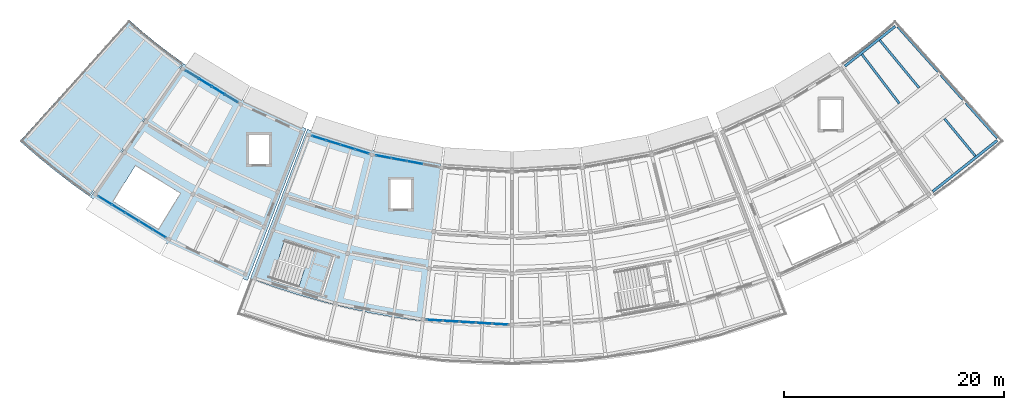
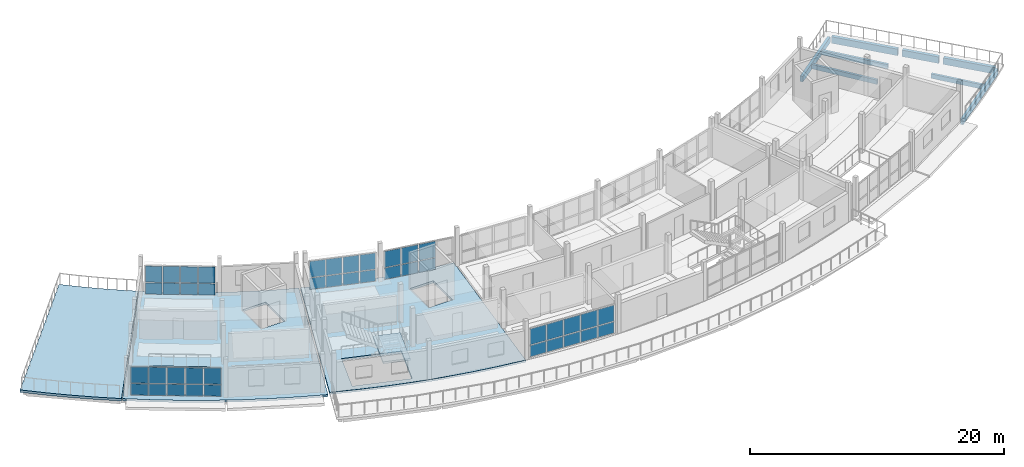
# One storey, part 14 of 24: 42 plates, 8 beams, 4 slabs, 6 elements without a shape of their own.
"""IFC4 building model written with IfcOpenShell, lengths in metres."""

from ifc_helpers import new_model, si_unit, direction, frame, origin, origin_2d, place, context, subcontext, project, spatial, polyline, rectangle, outline, extrude, material, layer, layer_set, material_profile, profile_set, type_object, element, aggregate, save


model = new_model("IFC4")

# Units and contexts
model_context = context("Model", 3, precision=1e-05, world=origin(), true_north=direction((0.0, 1.0)))
body_context = subcontext(model_context, "Body", "Model", "MODEL_VIEW")
ifc_project = project(units=[si_unit("LENGTHUNIT", "METRE"), si_unit("AREAUNIT", "SQUARE_METRE"), si_unit("VOLUMEUNIT", "CUBIC_METRE"), si_unit("PLANEANGLEUNIT", "RADIAN"), si_unit("MASSUNIT", "GRAM", prefix="KILO")], contexts=[model_context])

# Site, building, storey
site_placement = place(None, origin())
site = spatial("IfcSite", under=ifc_project, at=site_placement, CompositionType="ELEMENT")
building_placement = place(site_placement, origin())
building = spatial("IfcBuilding", under=site, at=building_placement, Name="Caldaven Crescent School", CompositionType="ELEMENT")
storey_placement = place(building_placement, frame((0.0, 0.0, 15.639892578125)))
storey = spatial("IfcBuildingStorey", under=building, at=storey_placement, Name="L04", CompositionType="ELEMENT", Elevation=15.639892578125)

# Beams
ifc_material_1 = material(Name="Glulam MLE24h (GL28h)", Category="wood")
ifc_material_profile_1 = material_profile(ifc_material_1, rectangle(XDim=0.280029296875, YDim=0.6298828125, at=origin_2d()), Name="MLE 280x630")
ifc_profile_set_1 = profile_set([ifc_material_profile_1], Name="Glulam MLE24h (GL28h)")
beam_type_1 = type_object("IfcBeamType", Name="BM-GL63", PredefinedType="BEAM", material=ifc_profile_set_1)
beam_1_placement = place(storey_placement, frame((123.052490234375, 56.748046875, -0.544921875), z_axis=(0.666052918359, -0.745904491169, 0.0), x_axis=(0.745904491169, 0.666052918359, 0.0)))
element("IfcBeam", 1, at=beam_1_placement, inside=storey, type_object=beam_type_1, Name="BMR-V4E-L04-1635", PredefinedType="BEAM", context=body_context, shape_type="SweptSolid", body=[
    extrude(rectangle(XDim=0.280029296875, YDim=0.6298828125, at=origin_2d()), origin(), (0.0, 0.0, 1.0), 5.485107421875),
])
beam_2_placement = place(storey_placement, frame((126.958984375, 52.37353515625, -0.544921875), z_axis=(0.666043078993, -0.745913277081, 0.0), x_axis=(0.745913277081, 0.666043078993, 0.0)))
element("IfcBeam", 2, at=beam_2_placement, inside=storey, type_object=beam_type_1, Name="BMR-V4E-L04-1636", PredefinedType="BEAM", context=body_context, shape_type="SweptSolid", body=[
    extrude(rectangle(XDim=0.280029296875, YDim=0.6298828125, at=origin_2d()), origin(), (0.0, 0.0, 1.0), 3.02001953125),
])
beam_3_placement = place(storey_placement, frame((129.2236328125, 49.83740234375, -0.544921875), z_axis=(0.666098417843, -0.745863860062, 0.0), x_axis=(0.745863860062, 0.666098417843, 0.0)))
element("IfcBeam", 3, at=beam_3_placement, inside=storey, type_object=beam_type_1, Name="BMR-V4E-L04-1637", PredefinedType="BEAM", context=body_context, shape_type="SweptSolid", body=[
    extrude(rectangle(XDim=0.280029296875, YDim=0.6298828125, at=origin_2d()), origin(), (0.0, 0.0, 1.0), 4.284912109375),
])
ifc_material_profile_2 = material_profile(ifc_material_1, rectangle(XDim=0.2099609375, YDim=0.419921875, at=origin_2d()), Name="MLE 210x420")
ifc_profile_set_2 = profile_set([ifc_material_profile_2], Name="Glulam MLE24h (GL28h)")
beam_type_2 = type_object("IfcBeamType", Name="JS-GL42", PredefinedType="JOIST", material=ifc_profile_set_2)
for number, where, z_axis, x_axis, name in (
    (4, (119.77099609375, 54.224853515625, -0.43994140625), (0.605340292754, -0.795966789488, 0.0), (0.795966789488, 0.605340292754, 0.0), "JSR-V4E-L04-1654"),
    (5, (121.391845703125, 55.5087890625, -0.43994140625), (0.636225659262, -0.771503020406, 0.0), (0.771503020406, 0.636225659262, 0.0), "JSR-V4E-L04-1656"),
):
    element("IfcBeam", number, at=place(storey_placement, frame(where, z_axis=z_axis, x_axis=x_axis)), inside=storey, type_object=beam_type_2, Name=name, PredefinedType="JOIST", context=body_context, shape_type="SweptSolid", body=[
        extrude(rectangle(XDim=0.2099609375, YDim=0.419921875, at=origin_2d()), origin(), (0.0, 0.0, 1.0), 5.61083984375),
    ])
beam_4_placement = place(storey_placement, frame((127.267822265625, 48.383544921875, -0.43994140625), z_axis=(0.636230692262, -0.771498869878, 0.0), x_axis=(0.771498869878, 0.636230692262, 0.0)))
element("IfcBeam", 6, at=beam_4_placement, inside=storey, type_object=beam_type_2, Name="JSR-V4E-L04-1657", PredefinedType="JOIST", context=body_context, shape_type="SweptSolid", body=[
    extrude(rectangle(XDim=0.2099609375, YDim=0.419921875, at=origin_2d()), origin(), (0.0, 0.0, 1.0), 4.412841796875),
])
ifc_material_profile_3 = material_profile(ifc_material_1, rectangle(XDim=0.239990234375, YDim=0.5400390625, at=origin_2d()), Name="MLE 240x540")
ifc_profile_set_3 = profile_set([ifc_material_profile_3], Name="Glulam MLE24h (GL28h)")
beam_type_3 = type_object("IfcBeamType", Name="SP-GL54", PredefinedType="SPANDREL", material=ifc_profile_set_3)
beam_5_placement = place(storey_placement, frame((118.22119140625, 53.14404296875, -0.5), z_axis=(0.783882174353, 0.620909604316, 0.0), x_axis=(-0.620909604316, 0.783882174353, 0.0)))
element("IfcBeam", 7, at=beam_5_placement, inside=storey, type_object=beam_type_3, Name="BMT-V4E-L04-1650", PredefinedType="SPANDREL", context=body_context, shape_type="SweptSolid", body=[
    extrude(rectangle(XDim=0.239990234375, YDim=0.5400390625, at=origin_2d()), origin(), (0.0, 0.0, 1.0), 5.83935546875),
])
beam_6_placement = place(storey_placement, frame((126.194091796875, 41.7578125, -0.5), z_axis=(0.783869072478, 0.620926144732, 0.0), x_axis=(-0.620926144732, 0.783869072478, 0.0)))
element("IfcBeam", 8, at=beam_6_placement, inside=storey, type_object=beam_type_3, Name="BMT-V4E-L04-1653", PredefinedType="SPANDREL", context=body_context, shape_type="SweptSolid", body=[
    extrude(rectangle(XDim=0.239990234375, YDim=0.5400390625, at=origin_2d()), origin(), (0.0, 0.0, 1.0), 7.4794921875),
])

# Curtain wall, plates
ifc_material_2 = material(Name="Anodised aluminium AA 6063-T6 and low-E double glazing", Category="aluminium")
ifc_layer_1 = layer(ifc_material_2, 0.2099609375)
ifc_layer_set_1 = layer_set([ifc_layer_1], Name="Anodised aluminium AA 6063-T6 and low-E double glazing")
curtain_wall_type_1 = type_object("IfcCurtainWallType", Name="CW-SYS3", PredefinedType="NOTDEFINED", material=ifc_layer_set_1)
curtain_wall_1_placement = place(storey_placement, origin())
curtain_wall_1 = element("IfcCurtainWall", 9, at=curtain_wall_1_placement, inside=storey, type_object=curtain_wall_type_1, Name="CW-L04-168", PredefinedType="NOTDEFINED")
ifc_material_3 = material(Name="Tempered low-E double glazing IGU", Category="glass")
ifc_layer_2 = layer(ifc_material_3, 0.02587890625)
ifc_layer_set_2 = layer_set([ifc_layer_2], Name="Tempered low-E double glazing IGU")
plate_type_1 = type_object("IfcPlateType", Name="PLT-CWP01", PredefinedType="CURTAIN_PANEL", material=ifc_layer_set_2)
plate_1_placement = place(storey_placement, frame((51.052490234375, 40.953125, 0.06005859375), z_axis=(0.0, 0.0, 1.0), x_axis=(0.8537089351, -0.520750472041, 0.0)))
plate_1 = element("IfcPlate", 10, at=plate_1_placement, type_object=plate_type_1, Name="CW3 panel 1.1", PredefinedType="CURTAIN_PANEL", context=body_context, shape_type="SweptSolid", body=[
    extrude(rectangle(XDim=1.35595703125, YDim=0.02587890625, at=origin_2d()), origin(), (0.0, 0.0, 1.0), 1.093994140625),
])
plate_2_placement = place(storey_placement, frame((51.052490234375, 40.953125, 1.214111328125), z_axis=(0.0, 0.0, 1.0), x_axis=(0.8537089351, -0.520750472041, 0.0)))
plate_2 = element("IfcPlate", 11, at=plate_2_placement, type_object=plate_type_1, Name="CW3 panel 1.2", PredefinedType="CURTAIN_PANEL", context=body_context, shape_type="SweptSolid", body=[
    extrude(rectangle(XDim=1.35595703125, YDim=0.02587890625, at=origin_2d()), origin(), (0.0, 0.0, 1.0), 1.5458984375),
])
plate_3_placement = place(storey_placement, frame((52.27392578125, 40.2080078125, 0.06005859375), z_axis=(0.0, 0.0, 1.0), x_axis=(0.8537089351, -0.520750472041, 0.0)))
plate_3 = element("IfcPlate", 12, at=plate_3_placement, type_object=plate_type_1, Name="CW3 panel 2.1", PredefinedType="CURTAIN_PANEL", context=body_context, shape_type="SweptSolid", body=[
    extrude(rectangle(XDim=1.385986328125, YDim=0.02587890625, at=origin_2d()), origin(), (0.0, 0.0, 1.0), 1.093994140625),
])
plate_4_placement = place(storey_placement, frame((52.27392578125, 40.2080078125, 1.214111328125), z_axis=(0.0, 0.0, 1.0), x_axis=(0.8537089351, -0.520750472041, 0.0)))
plate_4 = element("IfcPlate", 13, at=plate_4_placement, type_object=plate_type_1, Name="CW3 panel 2.2", PredefinedType="CURTAIN_PANEL", context=body_context, shape_type="SweptSolid", body=[
    extrude(rectangle(XDim=1.385986328125, YDim=0.02587890625, at=origin_2d()), origin(), (0.0, 0.0, 1.0), 1.5458984375),
])
plate_5_placement = place(storey_placement, frame((53.50830078125, 39.455078125, 0.06005859375), z_axis=(0.0, 0.0, 1.0), x_axis=(0.8537089351, -0.520750472041, 0.0)))
plate_5 = element("IfcPlate", 14, at=plate_5_placement, type_object=plate_type_1, Name="CW3 panel 3.1", PredefinedType="CURTAIN_PANEL", context=body_context, shape_type="SweptSolid", body=[
    extrude(rectangle(XDim=1.385986328125, YDim=0.02587890625, at=origin_2d()), origin(), (0.0, 0.0, 1.0), 1.093994140625),
])
plate_6_placement = place(storey_placement, frame((53.50830078125, 39.455078125, 1.214111328125), z_axis=(0.0, 0.0, 1.0), x_axis=(0.8537089351, -0.520750472041, 0.0)))
plate_6 = element("IfcPlate", 15, at=plate_6_placement, type_object=plate_type_1, Name="CW3 panel 3.2", PredefinedType="CURTAIN_PANEL", context=body_context, shape_type="SweptSolid", body=[
    extrude(rectangle(XDim=1.385986328125, YDim=0.02587890625, at=origin_2d()), origin(), (0.0, 0.0, 1.0), 1.5458984375),
])
plate_7_placement = place(storey_placement, frame((54.742919921875, 38.7021484375, 0.06005859375), z_axis=(0.0, 0.0, 1.0), x_axis=(0.8537089351, -0.520750472041, 0.0)))
plate_7 = element("IfcPlate", 16, at=plate_7_placement, type_object=plate_type_1, Name="CW3 panel 4.1", PredefinedType="CURTAIN_PANEL", context=body_context, shape_type="SweptSolid", body=[
    extrude(rectangle(XDim=1.385986328125, YDim=0.02587890625, at=origin_2d()), origin(), (0.0, 0.0, 1.0), 1.093994140625),
])
plate_8_placement = place(storey_placement, frame((54.742919921875, 38.7021484375, 1.214111328125), z_axis=(0.0, 0.0, 1.0), x_axis=(0.8537089351, -0.520750472041, 0.0)))
plate_8 = element("IfcPlate", 17, at=plate_8_placement, type_object=plate_type_1, Name="CW3 panel 4.2", PredefinedType="CURTAIN_PANEL", context=body_context, shape_type="SweptSolid", body=[
    extrude(rectangle(XDim=1.385986328125, YDim=0.02587890625, at=origin_2d()), origin(), (0.0, 0.0, 1.0), 1.5458984375),
])
plate_9_placement = place(storey_placement, frame((55.96435546875, 37.95703125, 0.06005859375), z_axis=(0.0, 0.0, 1.0), x_axis=(0.8537089351, -0.520750472041, 0.0)))
plate_9 = element("IfcPlate", 18, at=plate_9_placement, type_object=plate_type_1, Name="CW3 panel 5.1", PredefinedType="CURTAIN_PANEL", context=body_context, shape_type="SweptSolid", body=[
    extrude(rectangle(XDim=1.35595703125, YDim=0.02587890625, at=origin_2d()), origin(), (0.0, 0.0, 1.0), 1.093994140625),
])
plate_10_placement = place(storey_placement, frame((55.96435546875, 37.95703125, 1.214111328125), z_axis=(0.0, 0.0, 1.0), x_axis=(0.8537089351, -0.520750472041, 0.0)))
plate_10 = element("IfcPlate", 19, at=plate_10_placement, type_object=plate_type_1, Name="CW3 panel 5.2", PredefinedType="CURTAIN_PANEL", context=body_context, shape_type="SweptSolid", body=[
    extrude(rectangle(XDim=1.35595703125, YDim=0.02587890625, at=origin_2d()), origin(), (0.0, 0.0, 1.0), 1.5458984375),
])
aggregate(curtain_wall_1, [plate_1, plate_2, plate_3, plate_4, plate_5, plate_6, plate_7, plate_8, plate_9, plate_10])

curtain_wall_2_placement = place(storey_placement, origin())
curtain_wall_2 = element("IfcCurtainWall", 20, at=curtain_wall_2_placement, inside=storey, type_object=curtain_wall_type_1, Name="CW-L04-169", PredefinedType="NOTDEFINED")
ifc_layer_3 = layer(ifc_material_3, 0.028076171875)
ifc_layer_set_3 = layer_set([ifc_layer_3], Name="Tempered low-E double glazing IGU")
plate_type_2 = type_object("IfcPlateType", Name="PLT-CWP02", PredefinedType="CURTAIN_PANEL", material=ifc_layer_set_3)
plate_11_placement = place(storey_placement, frame((70.49169921875, 46.609375, 0.06005859375), z_axis=(0.0, 0.0, 1.0), x_axis=(0.954746818344, -0.297419758694, 0.0)))
plate_11 = element("IfcPlate", 21, at=plate_11_placement, type_object=plate_type_2, Name="CW3 panel 1.1", PredefinedType="CURTAIN_PANEL", context=body_context, shape_type="SweptSolid", body=[
    extrude(rectangle(XDim=1.270751953125, YDim=0.028076171875, at=origin_2d()), origin(), (0.0, 0.0, 1.0), 1.093994140625),
])
plate_12_placement = place(storey_placement, frame((70.49169921875, 46.609375, 1.214111328125), z_axis=(0.0, 0.0, 1.0), x_axis=(0.954746818344, -0.297419758694, 0.0)))
plate_12 = element("IfcPlate", 22, at=plate_12_placement, type_object=plate_type_2, Name="CW3 panel 1.2", PredefinedType="CURTAIN_PANEL", context=body_context, shape_type="SweptSolid", body=[
    extrude(rectangle(XDim=1.270751953125, YDim=0.028076171875, at=origin_2d()), origin(), (0.0, 0.0, 1.0), 1.5458984375),
])
plate_13_placement = place(storey_placement, frame((71.776611328125, 46.208984375, 0.06005859375), z_axis=(0.0, 0.0, 1.0), x_axis=(0.954746818344, -0.297419758694, 0.0)))
plate_13 = element("IfcPlate", 23, at=plate_13_placement, type_object=plate_type_2, Name="CW3 panel 2.1", PredefinedType="CURTAIN_PANEL", context=body_context, shape_type="SweptSolid", body=[
    extrude(rectangle(XDim=1.30078125, YDim=0.028076171875, at=origin_2d()), origin(), (0.0, 0.0, 1.0), 1.093994140625),
])
plate_14_placement = place(storey_placement, frame((71.776611328125, 46.208984375, 1.214111328125), z_axis=(0.0, 0.0, 1.0), x_axis=(0.954746818344, -0.297419758694, 0.0)))
plate_14 = element("IfcPlate", 24, at=plate_14_placement, type_object=plate_type_2, Name="CW3 panel 2.2", PredefinedType="CURTAIN_PANEL", context=body_context, shape_type="SweptSolid", body=[
    extrude(rectangle(XDim=1.30078125, YDim=0.028076171875, at=origin_2d()), origin(), (0.0, 0.0, 1.0), 1.5458984375),
])
plate_15_placement = place(storey_placement, frame((73.075927734375, 45.804443359375, 0.06005859375), z_axis=(0.0, 0.0, 1.0), x_axis=(0.954746818344, -0.297419758694, 0.0)))
plate_15 = element("IfcPlate", 25, at=plate_15_placement, type_object=plate_type_2, Name="CW3 panel 3.1", PredefinedType="CURTAIN_PANEL", context=body_context, shape_type="SweptSolid", body=[
    extrude(rectangle(XDim=1.30078125, YDim=0.028076171875, at=origin_2d()), origin(), (0.0, 0.0, 1.0), 1.093994140625),
])
plate_16_placement = place(storey_placement, frame((73.075927734375, 45.804443359375, 1.214111328125), z_axis=(0.0, 0.0, 1.0), x_axis=(0.954746818344, -0.297419758694, 0.0)))
plate_16 = element("IfcPlate", 26, at=plate_16_placement, type_object=plate_type_2, Name="CW3 panel 3.2", PredefinedType="CURTAIN_PANEL", context=body_context, shape_type="SweptSolid", body=[
    extrude(rectangle(XDim=1.30078125, YDim=0.028076171875, at=origin_2d()), origin(), (0.0, 0.0, 1.0), 1.5458984375),
])
plate_17_placement = place(storey_placement, frame((74.36083984375, 45.404052734375, 0.06005859375), z_axis=(0.0, 0.0, 1.0), x_axis=(0.954746818344, -0.297419758694, 0.0)))
plate_17 = element("IfcPlate", 27, at=plate_17_placement, type_object=plate_type_2, Name="CW3 panel 4.1", PredefinedType="CURTAIN_PANEL", context=body_context, shape_type="SweptSolid", body=[
    extrude(rectangle(XDim=1.270751953125, YDim=0.028076171875, at=origin_2d()), origin(), (0.0, 0.0, 1.0), 1.093994140625),
])
plate_18_placement = place(storey_placement, frame((74.36083984375, 45.404052734375, 1.214111328125), z_axis=(0.0, 0.0, 1.0), x_axis=(0.954746818344, -0.297419758694, 0.0)))
plate_18 = element("IfcPlate", 28, at=plate_18_placement, type_object=plate_type_2, Name="CW3 panel 4.2", PredefinedType="CURTAIN_PANEL", context=body_context, shape_type="SweptSolid", body=[
    extrude(rectangle(XDim=1.270751953125, YDim=0.028076171875, at=origin_2d()), origin(), (0.0, 0.0, 1.0), 1.5458984375),
])
aggregate(curtain_wall_2, [plate_11, plate_12, plate_13, plate_14, plate_15, plate_16, plate_17, plate_18])

ifc_layer_4 = layer(ifc_material_2, 0.22998046875)
ifc_layer_set_4 = layer_set([ifc_layer_4], Name="Anodised aluminium AA 6063-T6 and low-E double glazing")
curtain_wall_type_2 = type_object("IfcCurtainWallType", Name="CW-SYS4", PredefinedType="NOTDEFINED", material=ifc_layer_set_4)
curtain_wall_3_placement = place(storey_placement, origin())
curtain_wall_3 = element("IfcCurtainWall", 29, at=curtain_wall_3_placement, inside=storey, type_object=curtain_wall_type_2, Name="CW-L04-170", PredefinedType="NOTDEFINED")
ifc_layer_5 = layer(ifc_material_3, 0.030029296875)
ifc_layer_set_5 = layer_set([ifc_layer_5], Name="Tempered low-E double glazing IGU")
plate_type_3 = type_object("IfcPlateType", Name="PLT-CWP03", PredefinedType="CURTAIN_PANEL", material=ifc_layer_set_5)
plate_19_placement = place(storey_placement, frame((76.33544921875, 44.918212890625, 0.06005859375), z_axis=(0.0, 0.0, 1.0), x_axis=(0.983254744401, -0.182236405836, 0.0)))
plate_19 = element("IfcPlate", 30, at=plate_19_placement, type_object=plate_type_3, Name="CW4 panel 1.1", PredefinedType="CURTAIN_PANEL", context=body_context, shape_type="SweptSolid", body=[
    extrude(rectangle(XDim=1.353515625, YDim=0.030029296875, at=origin_2d()), origin(), (0.0, 0.0, 1.0), 1.093994140625),
])
plate_20_placement = place(storey_placement, frame((76.33544921875, 44.918212890625, 1.214111328125), z_axis=(0.0, 0.0, 1.0), x_axis=(0.983254744401, -0.182236405836, 0.0)))
plate_20 = element("IfcPlate", 31, at=plate_20_placement, type_object=plate_type_3, Name="CW4 panel 1.2", PredefinedType="CURTAIN_PANEL", context=body_context, shape_type="SweptSolid", body=[
    extrude(rectangle(XDim=1.353515625, YDim=0.030029296875, at=origin_2d()), origin(), (0.0, 0.0, 1.0), 1.5458984375),
])
plate_21_placement = place(storey_placement, frame((77.746337890625, 44.65673828125, 0.06005859375), z_axis=(0.0, 0.0, 1.0), x_axis=(0.983254744401, -0.182236405836, 0.0)))
plate_21 = element("IfcPlate", 32, at=plate_21_placement, type_object=plate_type_3, Name="CW4 panel 2.1", PredefinedType="CURTAIN_PANEL", context=body_context, shape_type="SweptSolid", body=[
    extrude(rectangle(XDim=1.385986328125, YDim=0.030029296875, at=origin_2d()), origin(), (0.0, 0.0, 1.0), 1.093994140625),
])
plate_22_placement = place(storey_placement, frame((77.746337890625, 44.65673828125, 1.214111328125), z_axis=(0.0, 0.0, 1.0), x_axis=(0.983254744401, -0.182236405836, 0.0)))
plate_22 = element("IfcPlate", 33, at=plate_22_placement, type_object=plate_type_3, Name="CW4 panel 2.2", PredefinedType="CURTAIN_PANEL", context=body_context, shape_type="SweptSolid", body=[
    extrude(rectangle(XDim=1.385986328125, YDim=0.030029296875, at=origin_2d()), origin(), (0.0, 0.0, 1.0), 1.5458984375),
])
plate_23_placement = place(storey_placement, frame((79.1728515625, 44.392333984375, 0.06005859375), z_axis=(0.0, 0.0, 1.0), x_axis=(0.983254744401, -0.182236405836, 0.0)))
plate_23 = element("IfcPlate", 34, at=plate_23_placement, type_object=plate_type_3, Name="CW4 panel 3.1", PredefinedType="CURTAIN_PANEL", context=body_context, shape_type="SweptSolid", body=[
    extrude(rectangle(XDim=1.385986328125, YDim=0.030029296875, at=origin_2d()), origin(), (0.0, 0.0, 1.0), 1.093994140625),
])
plate_24_placement = place(storey_placement, frame((79.1728515625, 44.392333984375, 1.214111328125), z_axis=(0.0, 0.0, 1.0), x_axis=(0.983254744401, -0.182236405836, 0.0)))
plate_24 = element("IfcPlate", 35, at=plate_24_placement, type_object=plate_type_3, Name="CW4 panel 3.2", PredefinedType="CURTAIN_PANEL", context=body_context, shape_type="SweptSolid", body=[
    extrude(rectangle(XDim=1.385986328125, YDim=0.030029296875, at=origin_2d()), origin(), (0.0, 0.0, 1.0), 1.5458984375),
])
aggregate(curtain_wall_3, [plate_19, plate_20, plate_21, plate_22, plate_23, plate_24])

curtain_wall_4_placement = place(storey_placement, origin())
curtain_wall_4 = element("IfcCurtainWall", 36, at=curtain_wall_4_placement, inside=storey, type_object=curtain_wall_type_1, Name="CW-L04-172", PredefinedType="NOTDEFINED")
ifc_layer_6 = layer(ifc_material_3, 0.033935546875)
ifc_layer_set_6 = layer_set([ifc_layer_6], Name="Tempered low-E double glazing IGU")
plate_type_4 = type_object("IfcPlateType", Name="PLT-CWP05", PredefinedType="CURTAIN_PANEL", material=ifc_layer_set_6)
plate_25_placement = place(storey_placement, frame((80.978271484375, 30.079345703125, 0.070068359375), z_axis=(0.0, 0.0, 1.0), x_axis=(0.998134747337, -0.061049374755, 0.0)))
plate_25 = element("IfcPlate", 37, at=plate_25_placement, type_object=plate_type_4, Name="CW3 panel 1.1", PredefinedType="CURTAIN_PANEL", context=body_context, shape_type="SweptSolid", body=[
    extrude(rectangle(XDim=1.40283203125, YDim=0.033935546875, at=origin_2d()), origin(), (0.0, 0.0, 1.0), 1.0791015625),
])
plate_26_placement = place(storey_placement, frame((80.978271484375, 30.079345703125, 1.21923828125), z_axis=(0.0, 0.0, 1.0), x_axis=(0.998134747337, -0.061049374755, 0.0)))
plate_26 = element("IfcPlate", 38, at=plate_26_placement, type_object=plate_type_4, Name="CW3 panel 1.2", PredefinedType="CURTAIN_PANEL", context=body_context, shape_type="SweptSolid", body=[
    extrude(rectangle(XDim=1.40283203125, YDim=0.033935546875, at=origin_2d()), origin(), (0.0, 0.0, 1.0), 1.531005859375),
])
plate_27_placement = place(storey_placement, frame((82.45947265625, 29.98876953125, 0.070068359375), z_axis=(0.0, 0.0, 1.0), x_axis=(0.998134747337, -0.061049374755, 0.0)))
plate_27 = element("IfcPlate", 39, at=plate_27_placement, type_object=plate_type_4, Name="CW3 panel 2.1", PredefinedType="CURTAIN_PANEL", context=body_context, shape_type="SweptSolid", body=[
    extrude(rectangle(XDim=1.435302734375, YDim=0.033935546875, at=origin_2d()), origin(), (0.0, 0.0, 1.0), 1.0791015625),
])
plate_28_placement = place(storey_placement, frame((82.45947265625, 29.98876953125, 1.21923828125), z_axis=(0.0, 0.0, 1.0), x_axis=(0.998134747337, -0.061049374755, 0.0)))
plate_28 = element("IfcPlate", 40, at=plate_28_placement, type_object=plate_type_4, Name="CW3 panel 2.2", PredefinedType="CURTAIN_PANEL", context=body_context, shape_type="SweptSolid", body=[
    extrude(rectangle(XDim=1.435302734375, YDim=0.033935546875, at=origin_2d()), origin(), (0.0, 0.0, 1.0), 1.531005859375),
])
plate_29_placement = place(storey_placement, frame((83.95703125, 29.897216796875, 0.070068359375), z_axis=(0.0, 0.0, 1.0), x_axis=(0.998134747337, -0.061049374755, 0.0)))
plate_29 = element("IfcPlate", 41, at=plate_29_placement, type_object=plate_type_4, Name="CW3 panel 3.1", PredefinedType="CURTAIN_PANEL", context=body_context, shape_type="SweptSolid", body=[
    extrude(rectangle(XDim=1.435302734375, YDim=0.033935546875, at=origin_2d()), origin(), (0.0, 0.0, 1.0), 1.0791015625),
])
plate_30_placement = place(storey_placement, frame((83.95703125, 29.897216796875, 1.21923828125), z_axis=(0.0, 0.0, 1.0), x_axis=(0.998134747337, -0.061049374755, 0.0)))
plate_30 = element("IfcPlate", 42, at=plate_30_placement, type_object=plate_type_4, Name="CW3 panel 3.2", PredefinedType="CURTAIN_PANEL", context=body_context, shape_type="SweptSolid", body=[
    extrude(rectangle(XDim=1.435302734375, YDim=0.033935546875, at=origin_2d()), origin(), (0.0, 0.0, 1.0), 1.531005859375),
])
plate_31_placement = place(storey_placement, frame((85.454345703125, 29.8056640625, 0.070068359375), z_axis=(0.0, 0.0, 1.0), x_axis=(0.998134747337, -0.061049374755, 0.0)))
plate_31 = element("IfcPlate", 43, at=plate_31_placement, type_object=plate_type_4, Name="CW3 panel 4.1", PredefinedType="CURTAIN_PANEL", context=body_context, shape_type="SweptSolid", body=[
    extrude(rectangle(XDim=1.435302734375, YDim=0.033935546875, at=origin_2d()), origin(), (0.0, 0.0, 1.0), 1.0791015625),
])
plate_32_placement = place(storey_placement, frame((85.454345703125, 29.8056640625, 1.21923828125), z_axis=(0.0, 0.0, 1.0), x_axis=(0.998134747337, -0.061049374755, 0.0)))
plate_32 = element("IfcPlate", 44, at=plate_32_placement, type_object=plate_type_4, Name="CW3 panel 4.2", PredefinedType="CURTAIN_PANEL", context=body_context, shape_type="SweptSolid", body=[
    extrude(rectangle(XDim=1.435302734375, YDim=0.033935546875, at=origin_2d()), origin(), (0.0, 0.0, 1.0), 1.531005859375),
])
plate_33_placement = place(storey_placement, frame((86.935546875, 29.715087890625, 0.070068359375), z_axis=(0.0, 0.0, 1.0), x_axis=(0.998134747337, -0.061049374755, 0.0)))
plate_33 = element("IfcPlate", 45, at=plate_33_placement, type_object=plate_type_4, Name="CW3 panel 5.1", PredefinedType="CURTAIN_PANEL", context=body_context, shape_type="SweptSolid", body=[
    extrude(rectangle(XDim=1.40283203125, YDim=0.033935546875, at=origin_2d()), origin(), (0.0, 0.0, 1.0), 1.0791015625),
])
plate_34_placement = place(storey_placement, frame((86.935546875, 29.715087890625, 1.21923828125), z_axis=(0.0, 0.0, 1.0), x_axis=(0.998134747337, -0.061049374755, 0.0)))
plate_34 = element("IfcPlate", 46, at=plate_34_placement, type_object=plate_type_4, Name="CW3 panel 5.2", PredefinedType="CURTAIN_PANEL", context=body_context, shape_type="SweptSolid", body=[
    extrude(rectangle(XDim=1.40283203125, YDim=0.033935546875, at=origin_2d()), origin(), (0.0, 0.0, 1.0), 1.531005859375),
])
aggregate(curtain_wall_4, [plate_25, plate_26, plate_27, plate_28, plate_29, plate_30, plate_31, plate_32, plate_33, plate_34])

ifc_layer_7 = layer(ifc_material_2, 0.169921875)
ifc_layer_set_7 = layer_set([ifc_layer_7], Name="Anodised aluminium AA 6063-T6 and low-E double glazing")
curtain_wall_type_3 = type_object("IfcCurtainWallType", Name="CW-SYS1", PredefinedType="NOTDEFINED", material=ifc_layer_set_7)
curtain_wall_5_placement = place(storey_placement, origin())
curtain_wall_5 = element("IfcCurtainWall", 47, at=curtain_wall_5_placement, inside=storey, type_object=curtain_wall_type_3, Name="CW-L04-167", PredefinedType="NOTDEFINED")
ifc_material_4 = material(Name="Insulated bronze aluminium spandrel panel", Category="aluminium")
ifc_layer_8 = layer(ifc_material_4, 0.072021484375)
ifc_layer_set_8 = layer_set([ifc_layer_8], Name="Insulated bronze aluminium spandrel panel")
plate_type_5 = type_object("IfcPlateType", Name="PLT-CWP24", PredefinedType="CURTAIN_PANEL", material=ifc_layer_set_8)
plate_35_placement = place(storey_placement, frame((58.958740234375, 52.384033203125, 0.070068359375), z_axis=(0.0, 0.0, 1.0), x_axis=(0.853708803703, -0.520750687451, 0.0)))
plate_35 = element("IfcPlate", 48, at=plate_35_placement, type_object=plate_type_5, Name="CW1 panel 1.1", PredefinedType="CURTAIN_PANEL", context=body_context, shape_type="SweptSolid", body=[
    extrude(rectangle(XDim=1.2998046875, YDim=0.072021484375, at=origin_2d()), origin(), (0.0, 0.0, 1.0), 1.0791015625),
])
plate_36_placement = place(storey_placement, frame((58.958740234375, 52.384033203125, 1.21923828125), z_axis=(0.0, 0.0, 1.0), x_axis=(0.853708803703, -0.520750687451, 0.0)))
plate_36 = element("IfcPlate", 49, at=plate_36_placement, type_object=plate_type_5, Name="CW1 panel 1.2", PredefinedType="CURTAIN_PANEL", context=body_context, shape_type="SweptSolid", body=[
    extrude(rectangle(XDim=1.2998046875, YDim=0.072021484375, at=origin_2d()), origin(), (0.0, 0.0, 1.0), 1.531005859375),
])
plate_37_placement = place(storey_placement, frame((60.1376953125, 51.664794921875, 0.070068359375), z_axis=(0.0, 0.0, 1.0), x_axis=(0.853708803703, -0.520750687451, 0.0)))
plate_37 = element("IfcPlate", 50, at=plate_37_placement, type_object=plate_type_5, Name="CW1 panel 2.1", PredefinedType="CURTAIN_PANEL", context=body_context, shape_type="SweptSolid", body=[
    extrude(rectangle(XDim=1.332275390625, YDim=0.072021484375, at=origin_2d()), origin(), (0.0, 0.0, 1.0), 1.0791015625),
])
plate_38_placement = place(storey_placement, frame((60.1376953125, 51.664794921875, 1.21923828125), z_axis=(0.0, 0.0, 1.0), x_axis=(0.853708803703, -0.520750687451, 0.0)))
plate_38 = element("IfcPlate", 51, at=plate_38_placement, type_object=plate_type_5, Name="CW1 panel 2.2", PredefinedType="CURTAIN_PANEL", context=body_context, shape_type="SweptSolid", body=[
    extrude(rectangle(XDim=1.332275390625, YDim=0.072021484375, at=origin_2d()), origin(), (0.0, 0.0, 1.0), 1.531005859375),
])
plate_39_placement = place(storey_placement, frame((61.330810546875, 50.93701171875, 0.070068359375), z_axis=(0.0, 0.0, 1.0), x_axis=(0.853708803703, -0.520750687451, 0.0)))
plate_39 = element("IfcPlate", 52, at=plate_39_placement, type_object=plate_type_5, Name="CW1 panel 3.1", PredefinedType="CURTAIN_PANEL", context=body_context, shape_type="SweptSolid", body=[
    extrude(rectangle(XDim=1.332275390625, YDim=0.072021484375, at=origin_2d()), origin(), (0.0, 0.0, 1.0), 1.0791015625),
])
plate_40_placement = place(storey_placement, frame((61.330810546875, 50.93701171875, 1.21923828125), z_axis=(0.0, 0.0, 1.0), x_axis=(0.853708803703, -0.520750687451, 0.0)))
plate_40 = element("IfcPlate", 53, at=plate_40_placement, type_object=plate_type_5, Name="CW1 panel 3.2", PredefinedType="CURTAIN_PANEL", context=body_context, shape_type="SweptSolid", body=[
    extrude(rectangle(XDim=1.332275390625, YDim=0.072021484375, at=origin_2d()), origin(), (0.0, 0.0, 1.0), 1.531005859375),
])
plate_41_placement = place(storey_placement, frame((62.509765625, 50.218017578125, 0.070068359375), z_axis=(0.0, 0.0, 1.0), x_axis=(0.853708803703, -0.520750687451, 0.0)))
plate_41 = element("IfcPlate", 54, at=plate_41_placement, type_object=plate_type_5, Name="CW1 panel 4.1", PredefinedType="CURTAIN_PANEL", context=body_context, shape_type="SweptSolid", body=[
    extrude(rectangle(XDim=1.2998046875, YDim=0.072021484375, at=origin_2d()), origin(), (0.0, 0.0, 1.0), 1.0791015625),
])
plate_42_placement = place(storey_placement, frame((62.509765625, 50.218017578125, 1.21923828125), z_axis=(0.0, 0.0, 1.0), x_axis=(0.853708803703, -0.520750687451, 0.0)))
plate_42 = element("IfcPlate", 55, at=plate_42_placement, type_object=plate_type_5, Name="CW1 panel 4.2", PredefinedType="CURTAIN_PANEL", context=body_context, shape_type="SweptSolid", body=[
    extrude(rectangle(XDim=1.2998046875, YDim=0.072021484375, at=origin_2d()), origin(), (0.0, 0.0, 1.0), 1.531005859375),
])
aggregate(curtain_wall_5, [plate_35, plate_36, plate_37, plate_38, plate_39, plate_40, plate_41, plate_42])

# Slabs
ifc_material_5 = material(Name="Cross-laminated timber CLT C24", Category="wood")
ifc_layer_9 = layer(ifc_material_5, 0.199951171875)
ifc_layer_set_9 = layer_set([ifc_layer_9], Name="Cross-laminated timber CLT C24")
slab_type_1 = type_object("IfcSlabType", Name="SLB-FS3", PredefinedType="FLOOR", material=ifc_layer_set_9)
slab_1_placement = place(storey_placement, frame((0.0, 0.0, -0.199951171875)))
element("IfcSlab", 56, at=slab_1_placement, inside=storey, type_object=slab_type_1, Name="SLB-V4W-L04-B03", PredefinedType="FLOOR", context=body_context, shape_type="SweptSolid", body=[
    extrude(outline(polyline([(49.703125, 41.26806640625), (51.6240234375, 39.972900390625), (53.5888671875, 38.745361328125), (55.594970703125, 37.58642578125), (57.639892578125, 36.497802734375), (59.7216796875, 35.480712890625), (61.837158203125, 34.53662109375), (63.984375, 33.666259765625), (69.30517578125, 47.476806640625), (67.6337890625, 48.154296875), (65.98681640625, 48.88916015625), (64.366455078125, 49.680908203125), (62.7744140625, 50.5283203125), (61.212890625, 51.430419921875), (59.683349609375, 52.38623046875), (58.18798828125, 53.394287109375), (49.703125, 41.26806640625)]), holes=[polyline([(63.97607421875, 44.088134765625), (63.97607421875, 47.088134765625), (66.075927734375, 47.088134765625), (66.075927734375, 44.088134765625), (63.97607421875, 44.088134765625)]), polyline([(51.8125, 40.874755859375), (53.78759765625, 44.09765625), (57.864990234375, 41.59912109375), (55.889892578125, 38.3759765625), (51.8125, 40.874755859375)])]), origin(), (0.0, 0.0, 1.0), 0.199951171875),
])
slab_2_placement = place(storey_placement, frame((0.0, 0.0, -0.199951171875)))
element("IfcSlab", 57, at=slab_2_placement, inside=storey, type_object=slab_type_1, Name="SLB-V5-L04-B05", PredefinedType="FLOOR", context=body_context, shape_type="SweptSolid", body=[
    extrude(outline(polyline([(64.23779296875, 33.868896484375), (66.3984375, 33.085205078125), (68.5849609375, 32.37646484375), (70.794677734375, 31.74365234375), (73.02490234375, 31.1875), (75.27294921875, 30.708740234375), (77.536376953125, 30.30810546875), (79.81201171875, 29.98583984375), (81.599365234375, 44.3955078125), (79.8203125, 44.6474609375), (78.051025390625, 44.960693359375), (76.293701171875, 45.334716796875), (74.55029296875, 45.76953125), (72.822998046875, 46.26416015625), (71.113525390625, 46.818115234375), (69.424560546875, 47.430908203125), (64.23779296875, 33.868896484375)]), holes=[polyline([(76.854248046875, 40.027587890625), (76.854248046875, 43.027587890625), (78.9541015625, 43.027587890625), (78.9541015625, 40.027587890625), (76.854248046875, 40.027587890625)]), polyline([(66.21142578125, 33.719482421875), (67.3720703125, 37.40087890625), (71.970947265625, 35.95068359375), (70.810302734375, 32.26953125), (66.21142578125, 33.719482421875)])]), origin(), (0.0, 0.0, 1.0), 0.199951171875),
])

# Stair, slab
ifc_material_6 = material(Name="Precast concrete C30/37", Category="concrete")
stair_type = type_object("IfcStairType", Name="STR-S6", PredefinedType="TWO_STRAIGHT_RUN_STAIR", material=ifc_material_6)
stair_placement = place(storey_placement, origin())
stair = element("IfcStair", 58, at=stair_placement, inside=storey, type_object=stair_type, Name="STAIR-ST2-L04", PredefinedType="TWO_STRAIGHT_RUN_STAIR")
ifc_material_7 = material(Name="Concrete C30/37", Category="concrete")
ifc_layer_10 = layer(ifc_material_7, 0.195068359375)
ifc_layer_set_10 = layer_set([ifc_layer_10], Name="Concrete C30/37")
slab_type_2 = type_object("IfcSlabType", Name="SLB-LND2", PredefinedType="LANDING", material=ifc_layer_set_10)
slab_3_placement = place(storey_placement, frame((0.0, 0.0, 1.675048828125)))
slab_3 = element("IfcSlab", 59, at=slab_3_placement, type_object=slab_type_2, Name="ST2-L04 landing 1", PredefinedType="LANDING", context=body_context, shape_type="SweptSolid", body=[
    extrude(outline(polyline([(68.632568359375, 33.0712890625), (70.728759765625, 32.410400390625), (71.823486328125, 35.8818359375), (69.727294921875, 36.54296875), (68.632568359375, 33.0712890625)])), origin(), (0.0, 0.0, 1.0), 0.195068359375),
])
aggregate(stair, [slab_3])

# Slab
ifc_layer_11 = layer(ifc_material_5, 0.22998046875)
ifc_layer_set_11 = layer_set([ifc_layer_11], Name="Cross-laminated timber CLT C24")
slab_type_3 = type_object("IfcSlabType", Name="SLB-TS2", PredefinedType="FLOOR", material=ifc_layer_set_11)
slab_4_placement = place(storey_placement, frame((0.0, 0.0, -0.22998046875)))
element("IfcSlab", 60, at=slab_4_placement, inside=storey, type_object=slab_type_3, Name="SLB-BT-L04-W", PredefinedType="FLOOR", context=body_context, shape_type="SweptSolid", body=[
    extrude(outline(polyline([(43.326416015625, 46.3359375), (44.84716796875, 45.009033203125), (46.407470703125, 43.728515625), (48.005615234375, 42.495849609375), (49.64013671875, 41.31201171875), (58.13916015625, 53.428466796875), (56.86669921875, 54.35009765625), (55.62255859375, 55.3095703125), (54.407958984375, 56.306396484375), (53.22412109375, 57.33935546875), (43.326416015625, 46.3359375)])), origin(), (0.0, 0.0, 1.0), 0.22998046875),
])

save(model, "model.ifc")
